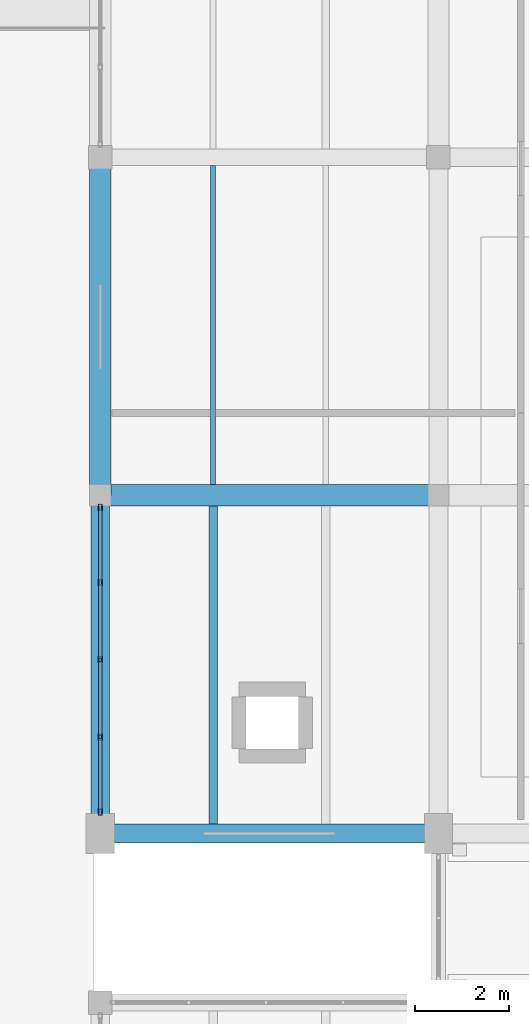
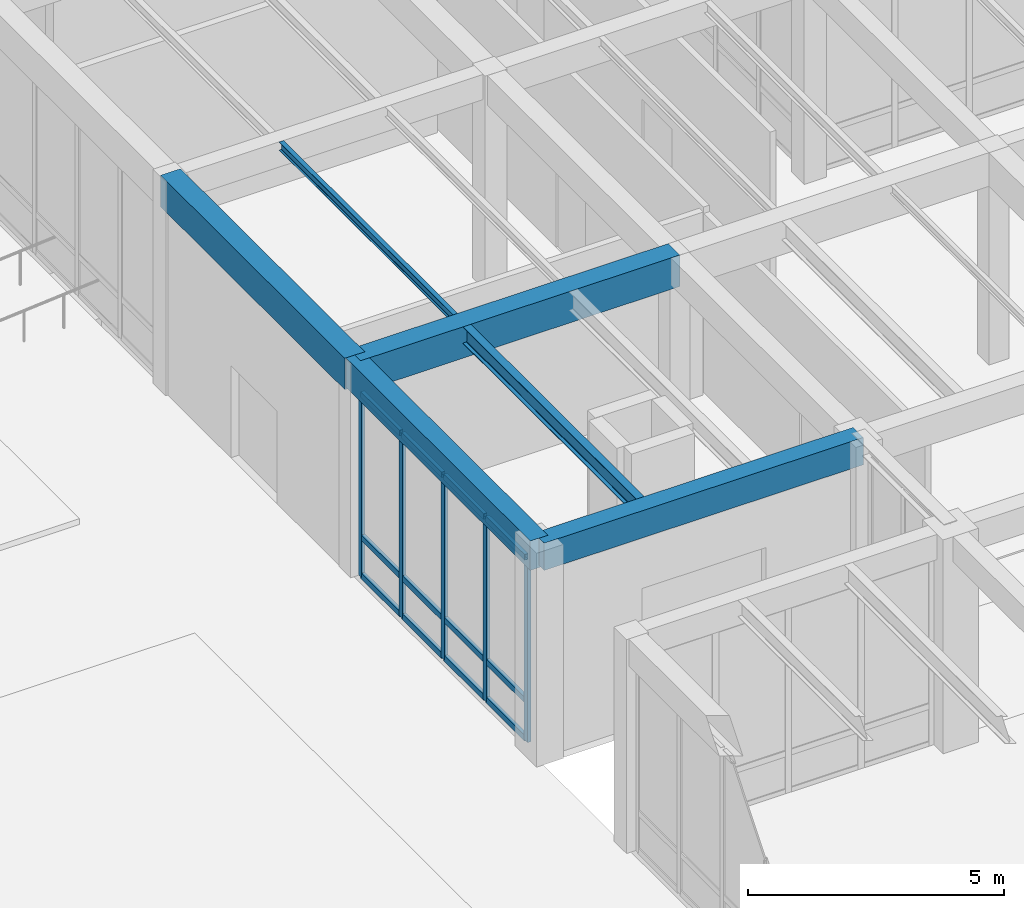
# One storey, part 55 of 169: 17 members, 6 beams, 1 element without a shape of its own.
"""IFC4 building model written with IfcOpenShell, lengths in metres."""

from ifc_helpers import new_model, si_unit, direction, frame, origin, origin_2d, place, context, subcontext, project, spatial, rectangle, hollow_rectangle, i_section, extrude, material, layer, layer_set, material_profile, profile_set, type_object, element, aggregate, save


model = new_model("IFC4")

# Units and contexts
model_context = context("Model", 3, precision=1e-05, world=origin(), true_north=direction((0.0, 1.0)))
body_context = subcontext(model_context, "Body", "Model", "MODEL_VIEW")
ifc_project = project(units=[si_unit("LENGTHUNIT", "METRE"), si_unit("AREAUNIT", "SQUARE_METRE"), si_unit("VOLUMEUNIT", "CUBIC_METRE"), si_unit("PLANEANGLEUNIT", "RADIAN"), si_unit("MASSUNIT", "GRAM", prefix="KILO")], contexts=[model_context])

# Site, building, storey
site_placement = place(None, origin())
site = spatial("IfcSite", under=ifc_project, at=site_placement, CompositionType="ELEMENT")
building_placement = place(site_placement, origin())
building = spatial("IfcBuilding", under=site, at=building_placement, Name="Mazaris Harbour Polytechnic", CompositionType="ELEMENT")
storey_placement = place(building_placement, origin())
storey = spatial("IfcBuildingStorey", under=building, at=storey_placement, Name="L00", CompositionType="ELEMENT", Elevation=0.0)

# Curtain wall, members
ifc_material_1 = material(Name="Anodised Bronze Aluminium and Low-E Glass", Category="aluminium")
ifc_layer = layer(ifc_material_1, 0.169921875, Name="Anodised Bronze Aluminium and Low-E Glass")
ifc_layer_set = layer_set([ifc_layer], Name="Anodised Bronze Aluminium and Low-E Glass")
curtain_wall_type = type_object("IfcCurtainWallType", Name="Studio North-Light Curtain Wall", PredefinedType="NOTDEFINED", material=ifc_layer_set)
curtain_wall_placement = place(storey_placement, origin())
curtain_wall = element("IfcCurtainWall", 1, at=curtain_wall_placement, inside=storey, type_object=curtain_wall_type, Name="V5 L00 Curtain Wall 187", PredefinedType="NOTDEFINED")
ifc_material_2 = material(Name="Anodised Bronze Steel S355", Category="steel")
ifc_material_profile_1 = material_profile(ifc_material_2, hollow_rectangle(XDim=0.080078125, YDim=0.139892578125, WallThickness=0.00634765625, at=origin_2d()), Name="RHS 80x140x6.3")
ifc_profile_set_1 = profile_set([ifc_material_profile_1], Name="Anodised Bronze Steel S355")
member_type_1 = type_object("IfcMemberType", Name="Curtain Mullion RHS80x140", PredefinedType="MULLION", material=ifc_profile_set_1)
member_1_placement = place(storey_placement, frame((122.39990234375, 47.257080078125, 0.0), z_axis=(0.0, 0.0, 1.0), x_axis=(-1.0, 0.0, 0.0)))
member_1 = element("IfcMember", 2, at=member_1_placement, type_object=member_type_1, Name="CW-03 mullion 1", PredefinedType="MULLION", context=body_context, shape_type="SweptSolid", body=[
    extrude(hollow_rectangle(XDim=0.080078125, YDim=0.139892578125, WallThickness=0.00634765625, at=origin_2d()), origin(), (0.0, 0.0, 1.0), 4.389892578125),
])
member_2_placement = place(storey_placement, frame((122.39990234375, 48.8583984375, 0.0), z_axis=(0.0, 0.0, 1.0), x_axis=(-1.0, 0.0, 0.0)))
member_2 = element("IfcMember", 3, at=member_2_placement, type_object=member_type_1, Name="CW-03 mullion 2", PredefinedType="MULLION", context=body_context, shape_type="SweptSolid", body=[
    extrude(hollow_rectangle(XDim=0.080078125, YDim=0.139892578125, WallThickness=0.00634765625, at=origin_2d()), origin(), (0.0, 0.0, 1.0), 4.389892578125),
])
member_3_placement = place(storey_placement, frame((122.39990234375, 50.5, 0.0), z_axis=(0.0, 0.0, 1.0), x_axis=(-1.0, 0.0, 0.0)))
member_3 = element("IfcMember", 4, at=member_3_placement, type_object=member_type_1, Name="CW-03 mullion 3", PredefinedType="MULLION", context=body_context, shape_type="SweptSolid", body=[
    extrude(hollow_rectangle(XDim=0.080078125, YDim=0.139892578125, WallThickness=0.00634765625, at=origin_2d()), origin(), (0.0, 0.0, 1.0), 4.389892578125),
])
member_4_placement = place(storey_placement, frame((122.39990234375, 52.1416015625, 0.0), z_axis=(0.0, 0.0, 1.0), x_axis=(-1.0, 0.0, 0.0)))
member_4 = element("IfcMember", 5, at=member_4_placement, type_object=member_type_1, Name="CW-03 mullion 4", PredefinedType="MULLION", context=body_context, shape_type="SweptSolid", body=[
    extrude(hollow_rectangle(XDim=0.080078125, YDim=0.139892578125, WallThickness=0.00634765625, at=origin_2d()), origin(), (0.0, 0.0, 1.0), 4.389892578125),
])
member_5_placement = place(storey_placement, frame((122.39990234375, 53.742919921875, 0.0), z_axis=(0.0, 0.0, 1.0), x_axis=(-1.0, 0.0, 0.0)))
member_5 = element("IfcMember", 6, at=member_5_placement, type_object=member_type_1, Name="CW-03 mullion 5", PredefinedType="MULLION", context=body_context, shape_type="SweptSolid", body=[
    extrude(hollow_rectangle(XDim=0.080078125, YDim=0.139892578125, WallThickness=0.00634765625, at=origin_2d()), origin(), (0.0, 0.0, 1.0), 4.389892578125),
])
ifc_material_3 = material(Name="Anodised Bronze Steel S355", Category="steel")
ifc_material_profile_2 = material_profile(ifc_material_3, hollow_rectangle(XDim=0.080078125, YDim=0.139892578125, WallThickness=0.00634765625, at=origin_2d()), Name="RHS 80x140x6.3")
ifc_profile_set_2 = profile_set([ifc_material_profile_2], Name="Anodised Bronze Steel S355")
member_type_2 = type_object("IfcMemberType", Name="Curtain Transom RHS80x140", PredefinedType="USERDEFINED", material=ifc_profile_set_2)
member_6_placement = place(storey_placement, frame((122.39990234375, 47.297119140625, 0.0400390625), z_axis=(0.0, 1.0, 0.0), x_axis=(-1.0, 0.0, 0.0)))
member_6 = element("IfcMember", 7, at=member_6_placement, type_object=member_type_2, Name="CW-03 transom 1.1", ObjectType="TRANSOM", PredefinedType="USERDEFINED", context=body_context, shape_type="SweptSolid", body=[
    extrude(hollow_rectangle(XDim=0.080078125, YDim=0.139892578125, WallThickness=0.00634765625, at=origin_2d()), origin(), (0.0, 0.0, 1.0), 1.521484375),
])
member_7_placement = place(storey_placement, frame((122.39990234375, 47.297119140625, 0.949951171875), z_axis=(0.0, 1.0, 0.0), x_axis=(-1.0, 0.0, 0.0)))
member_7 = element("IfcMember", 8, at=member_7_placement, type_object=member_type_2, Name="CW-03 transom 1.2", ObjectType="TRANSOM", PredefinedType="USERDEFINED", context=body_context, shape_type="SweptSolid", body=[
    extrude(hollow_rectangle(XDim=0.080078125, YDim=0.139892578125, WallThickness=0.00634765625, at=origin_2d()), origin(), (0.0, 0.0, 1.0), 1.521484375),
])
member_8_placement = place(storey_placement, frame((122.39990234375, 47.297119140625, 4.35009765625), z_axis=(0.0, 1.0, 0.0), x_axis=(-1.0, 0.0, 0.0)))
member_8 = element("IfcMember", 9, at=member_8_placement, type_object=member_type_2, Name="CW-03 transom 1.3", ObjectType="TRANSOM", PredefinedType="USERDEFINED", context=body_context, shape_type="SweptSolid", body=[
    extrude(hollow_rectangle(XDim=0.080078125, YDim=0.139892578125, WallThickness=0.00634765625, at=origin_2d()), origin(), (0.0, 0.0, 1.0), 1.521484375),
])
member_9_placement = place(storey_placement, frame((122.39990234375, 48.8984375, 0.0400390625), z_axis=(0.0, 1.0, 0.0), x_axis=(-1.0, 0.0, 0.0)))
member_9 = element("IfcMember", 10, at=member_9_placement, type_object=member_type_2, Name="CW-03 transom 2.1", ObjectType="TRANSOM", PredefinedType="USERDEFINED", context=body_context, shape_type="SweptSolid", body=[
    extrude(hollow_rectangle(XDim=0.080078125, YDim=0.139892578125, WallThickness=0.00634765625, at=origin_2d()), origin(), (0.0, 0.0, 1.0), 1.5615234375),
])
member_10_placement = place(storey_placement, frame((122.39990234375, 48.8984375, 0.949951171875), z_axis=(0.0, 1.0, 0.0), x_axis=(-1.0, 0.0, 0.0)))
member_10 = element("IfcMember", 11, at=member_10_placement, type_object=member_type_2, Name="CW-03 transom 2.2", ObjectType="TRANSOM", PredefinedType="USERDEFINED", context=body_context, shape_type="SweptSolid", body=[
    extrude(hollow_rectangle(XDim=0.080078125, YDim=0.139892578125, WallThickness=0.00634765625, at=origin_2d()), origin(), (0.0, 0.0, 1.0), 1.5615234375),
])
member_11_placement = place(storey_placement, frame((122.39990234375, 48.8984375, 4.35009765625), z_axis=(0.0, 1.0, 0.0), x_axis=(-1.0, 0.0, 0.0)))
member_11 = element("IfcMember", 12, at=member_11_placement, type_object=member_type_2, Name="CW-03 transom 2.3", ObjectType="TRANSOM", PredefinedType="USERDEFINED", context=body_context, shape_type="SweptSolid", body=[
    extrude(hollow_rectangle(XDim=0.080078125, YDim=0.139892578125, WallThickness=0.00634765625, at=origin_2d()), origin(), (0.0, 0.0, 1.0), 1.5615234375),
])
member_12_placement = place(storey_placement, frame((122.39990234375, 50.5400390625, 0.0400390625), z_axis=(0.0, 1.0, 0.0), x_axis=(-1.0, 0.0, 0.0)))
member_12 = element("IfcMember", 13, at=member_12_placement, type_object=member_type_2, Name="CW-03 transom 3.1", ObjectType="TRANSOM", PredefinedType="USERDEFINED", context=body_context, shape_type="SweptSolid", body=[
    extrude(hollow_rectangle(XDim=0.080078125, YDim=0.139892578125, WallThickness=0.00634765625, at=origin_2d()), origin(), (0.0, 0.0, 1.0), 1.5615234375),
])
member_13_placement = place(storey_placement, frame((122.39990234375, 50.5400390625, 0.949951171875), z_axis=(0.0, 1.0, 0.0), x_axis=(-1.0, 0.0, 0.0)))
member_13 = element("IfcMember", 14, at=member_13_placement, type_object=member_type_2, Name="CW-03 transom 3.2", ObjectType="TRANSOM", PredefinedType="USERDEFINED", context=body_context, shape_type="SweptSolid", body=[
    extrude(hollow_rectangle(XDim=0.080078125, YDim=0.139892578125, WallThickness=0.00634765625, at=origin_2d()), origin(), (0.0, 0.0, 1.0), 1.5615234375),
])
member_14_placement = place(storey_placement, frame((122.39990234375, 50.5400390625, 4.35009765625), z_axis=(0.0, 1.0, 0.0), x_axis=(-1.0, 0.0, 0.0)))
member_14 = element("IfcMember", 15, at=member_14_placement, type_object=member_type_2, Name="CW-03 transom 3.3", ObjectType="TRANSOM", PredefinedType="USERDEFINED", context=body_context, shape_type="SweptSolid", body=[
    extrude(hollow_rectangle(XDim=0.080078125, YDim=0.139892578125, WallThickness=0.00634765625, at=origin_2d()), origin(), (0.0, 0.0, 1.0), 1.5615234375),
])
member_15_placement = place(storey_placement, frame((122.39990234375, 52.181396484375, 0.0400390625), z_axis=(0.0, 1.0, 0.0), x_axis=(-1.0, 0.0, 0.0)))
member_15 = element("IfcMember", 16, at=member_15_placement, type_object=member_type_2, Name="CW-03 transom 4.1", ObjectType="TRANSOM", PredefinedType="USERDEFINED", context=body_context, shape_type="SweptSolid", body=[
    extrude(hollow_rectangle(XDim=0.080078125, YDim=0.139892578125, WallThickness=0.00634765625, at=origin_2d()), origin(), (0.0, 0.0, 1.0), 1.521484375),
])
member_16_placement = place(storey_placement, frame((122.39990234375, 52.181396484375, 0.949951171875), z_axis=(0.0, 1.0, 0.0), x_axis=(-1.0, 0.0, 0.0)))
member_16 = element("IfcMember", 17, at=member_16_placement, type_object=member_type_2, Name="CW-03 transom 4.2", ObjectType="TRANSOM", PredefinedType="USERDEFINED", context=body_context, shape_type="SweptSolid", body=[
    extrude(hollow_rectangle(XDim=0.080078125, YDim=0.139892578125, WallThickness=0.00634765625, at=origin_2d()), origin(), (0.0, 0.0, 1.0), 1.521484375),
])
member_17_placement = place(storey_placement, frame((122.39990234375, 52.181396484375, 4.35009765625), z_axis=(0.0, 1.0, 0.0), x_axis=(-1.0, 0.0, 0.0)))
member_17 = element("IfcMember", 18, at=member_17_placement, type_object=member_type_2, Name="CW-03 transom 4.3", ObjectType="TRANSOM", PredefinedType="USERDEFINED", context=body_context, shape_type="SweptSolid", body=[
    extrude(hollow_rectangle(XDim=0.080078125, YDim=0.139892578125, WallThickness=0.00634765625, at=origin_2d()), origin(), (0.0, 0.0, 1.0), 1.521484375),
])
aggregate(curtain_wall, [member_1, member_2, member_3, member_4, member_5, member_6, member_7, member_8, member_9, member_10, member_11, member_12, member_13, member_14, member_15, member_16, member_17])

# Beams
ifc_material_4 = material(Name="Concrete C35/45", Category="concrete")
ifc_material_profile_3 = material_profile(ifc_material_4, rectangle(XDim=0.39990234375, YDim=0.64990234375, at=origin_2d()), Name="RECT400x650")
ifc_profile_set_3 = profile_set([ifc_material_profile_3], Name="Concrete C35/45")
beam_type_1 = type_object("IfcBeamType", Name="RC Girder 400x650 Exterior", PredefinedType="BEAM", material=ifc_profile_set_3)
beam_1_placement = place(storey_placement, frame((122.39990234375, 46.800048828125, 4.77490234375), z_axis=(1.0, 0.0, 0.0), x_axis=(0.0, 1.0, 0.0)))
element("IfcBeam", 19, at=beam_1_placement, inside=storey, type_object=beam_type_1, Name="V5 L00 Girder 2696", PredefinedType="BEAM", context=body_context, shape_type="SweptSolid", body=[
    extrude(rectangle(XDim=0.39990234375, YDim=0.64990234375, at=origin_2d()), origin(), (0.0, 0.0, 1.0), 7.2001953125),
])
ifc_material_5 = material(Name="Concrete C35/45", Category="concrete")
ifc_material_profile_4 = material_profile(ifc_material_5, rectangle(XDim=0.39990234375, YDim=0.699951171875, at=origin_2d()), Name="RECT400x700")
ifc_profile_set_4 = profile_set([ifc_material_profile_4], Name="Concrete C35/45")
beam_type_2 = type_object("IfcBeamType", Name="RC Girder 400x700 Exterior", PredefinedType="BEAM", material=ifc_profile_set_4)
beam_2_placement = place(storey_placement, frame((122.39990234375, 46.800048828125, 4.75), z_axis=(0.0, 1.0, 0.0), x_axis=(-1.0, 0.0, 0.0)))
element("IfcBeam", 20, at=beam_2_placement, inside=storey, type_object=beam_type_2, Name="V5 L00 Tie Girder 2757", PredefinedType="BEAM", context=body_context, shape_type="SweptSolid", body=[
    extrude(rectangle(XDim=0.39990234375, YDim=0.699951171875, at=origin_2d()), origin(), (0.0, 0.0, 1.0), 7.199951171875),
])
ifc_material_6 = material(Name="Concrete C40/50", Category="concrete")
ifc_material_profile_5 = material_profile(ifc_material_6, rectangle(XDim=0.449951171875, YDim=0.75, at=origin_2d()), Name="RECT450x750")
ifc_profile_set_5 = profile_set([ifc_material_profile_5], Name="Concrete C40/50")
beam_type_3 = type_object("IfcBeamType", Name="RC Girder 450x750", PredefinedType="BEAM", material=ifc_profile_set_5)
beam_3_placement = place(storey_placement, frame((122.39990234375, 54.0, 4.72509765625), z_axis=(1.0, 0.0, 0.0), x_axis=(0.0, 1.0, 0.0)))
element("IfcBeam", 21, at=beam_3_placement, inside=storey, type_object=beam_type_3, Name="V5 L00 Girder 2703", PredefinedType="BEAM", context=body_context, shape_type="SweptSolid", body=[
    extrude(rectangle(XDim=0.449951171875, YDim=0.75, at=origin_2d()), origin(), (0.0, 0.0, 1.0), 7.2001953125),
])
ifc_material_7 = material(Name="Concrete C40/50", Category="concrete")
ifc_material_profile_6 = material_profile(ifc_material_7, rectangle(XDim=0.449951171875, YDim=0.75, at=origin_2d()), Name="RECT450x750")
ifc_profile_set_6 = profile_set([ifc_material_profile_6], Name="Concrete C40/50")
beam_type_4 = type_object("IfcBeamType", Name="RC Girder 450x750 Exterior", PredefinedType="BEAM", material=ifc_profile_set_6)
beam_4_placement = place(storey_placement, frame((122.39990234375, 54.0, 4.72509765625), z_axis=(0.0, 1.0, 0.0), x_axis=(-1.0, 0.0, 0.0)))
element("IfcBeam", 22, at=beam_4_placement, inside=storey, type_object=beam_type_4, Name="V5 L00 Tie Girder 2758", PredefinedType="BEAM", context=body_context, shape_type="SweptSolid", body=[
    extrude(rectangle(XDim=0.449951171875, YDim=0.75, at=origin_2d()), origin(), (0.0, 0.0, 1.0), 7.199951171875),
])
ifc_material_8 = material(Name="Steel S355", Category="steel")
ifc_material_profile_7 = material_profile(ifc_material_8, i_section(OverallWidth=0.10009765625, OverallDepth=0.199951171875, WebThickness=0.005615234375, FlangeThickness=0.008544921875, FilletRadius=0.011962890625, at=origin_2d()), Name="IPE 200")
ifc_profile_set_7 = profile_set([ifc_material_profile_7], Name="Steel S355")
beam_type_5 = type_object("IfcBeamType", Name="Steel Joist IPE200", PredefinedType="JOIST", material=ifc_profile_set_7)
beam_5_placement = place(storey_placement, frame((124.800048828125, 54.22509765625, 5.0), z_axis=(0.0, 1.0, 0.0), x_axis=(-1.0, 0.0, 0.0)))
element("IfcBeam", 23, at=beam_5_placement, inside=storey, type_object=beam_type_5, Name="V5 L00 Floor Joist 2821", PredefinedType="JOIST", context=body_context, shape_type="SweptSolid", body=[
    extrude(i_section(OverallWidth=0.10009765625, OverallDepth=0.199951171875, WebThickness=0.005615234375, FlangeThickness=0.008544921875, FilletRadius=0.011962890625, at=origin_2d()), origin(), (0.0, 0.0, 1.0), 6.7998046875),
])
ifc_material_9 = material(Name="Steel S355", Category="steel")
ifc_material_profile_8 = material_profile(ifc_material_9, i_section(OverallWidth=0.179931640625, OverallDepth=0.39990234375, WebThickness=0.008544921875, FlangeThickness=0.013427734375, FilletRadius=0.02099609375, at=origin_2d()), Name="IPE 400")
ifc_profile_set_8 = profile_set([ifc_material_profile_8], Name="Steel S355")
beam_type_6 = type_object("IfcBeamType", Name="Steel Joist IPE400", PredefinedType="JOIST", material=ifc_profile_set_8)
beam_6_placement = place(storey_placement, frame((124.800048828125, 47.0, 4.89990234375), z_axis=(0.0, 1.0, 0.0), x_axis=(-1.0, 0.0, 0.0)))
element("IfcBeam", 24, at=beam_6_placement, inside=storey, type_object=beam_type_6, Name="V5 L00 Floor Joist 2819", PredefinedType="JOIST", context=body_context, shape_type="SweptSolid", body=[
    extrude(i_section(OverallWidth=0.179931640625, OverallDepth=0.39990234375, WebThickness=0.008544921875, FlangeThickness=0.013427734375, FilletRadius=0.02099609375, at=origin_2d()), origin(), (0.0, 0.0, 1.0), 6.77490234375),
])

save(model, "model.ifc")
